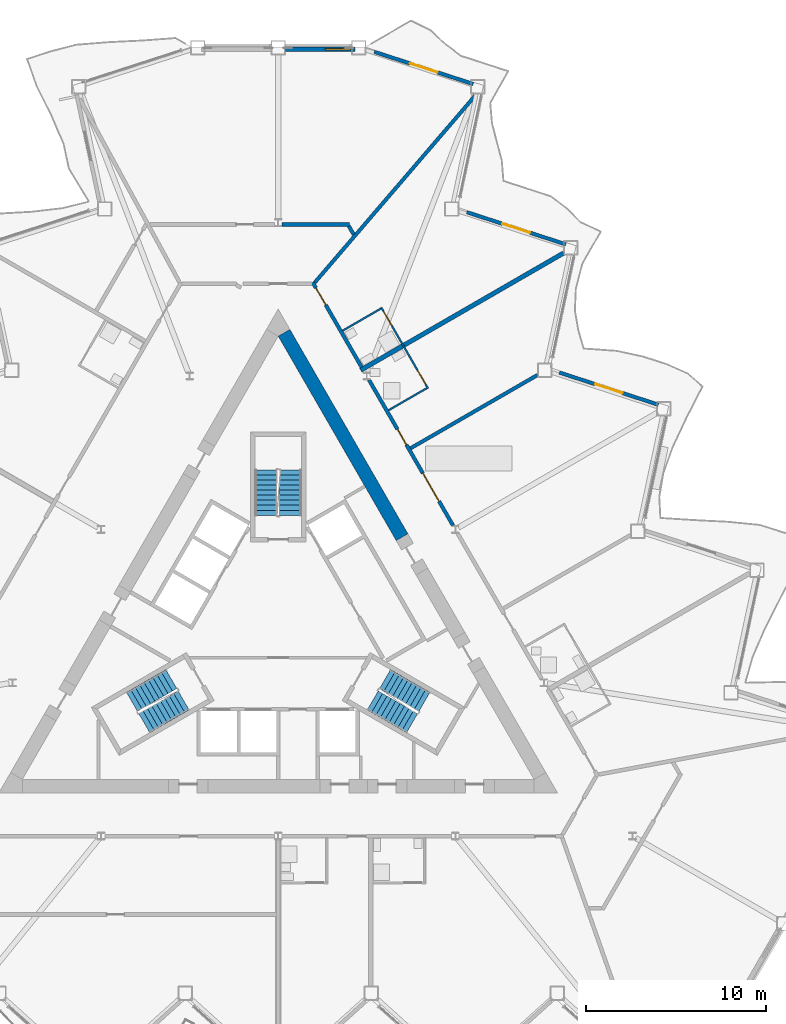
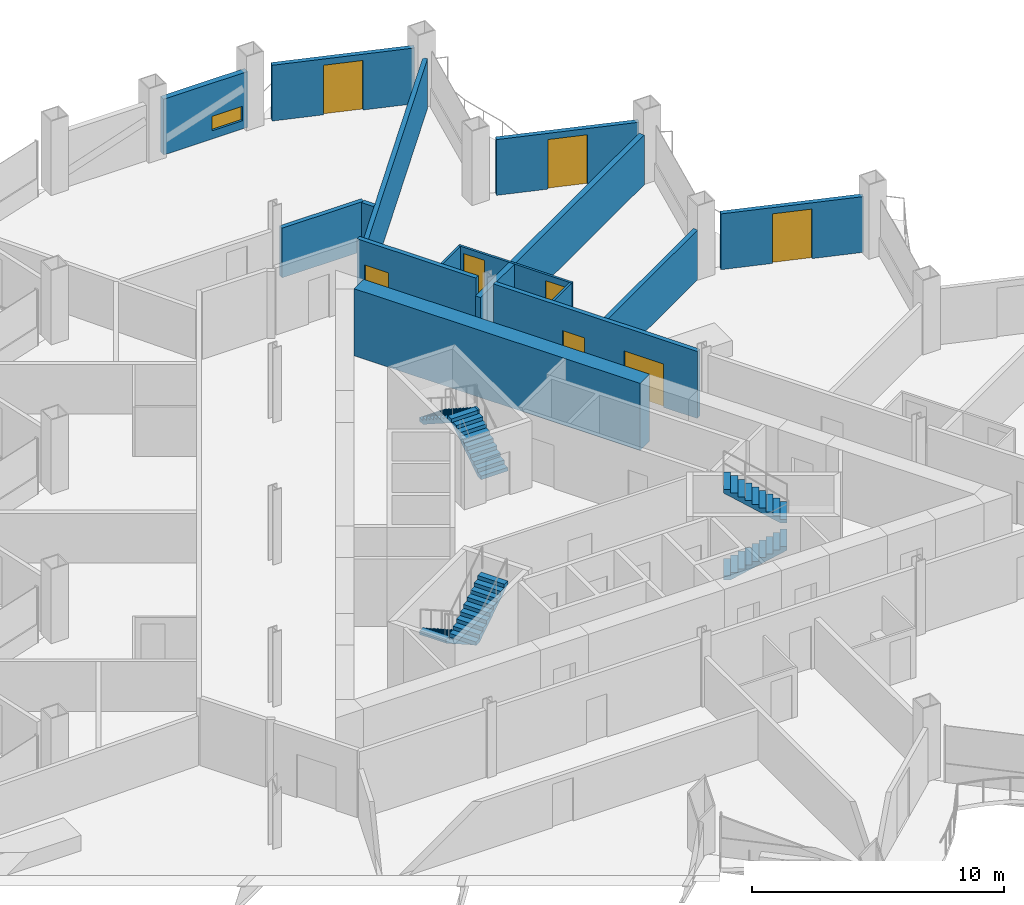
# One storey, part 14 of 22: 15 walls, 8 doors, 6 stair flights, 1 window, 9 openings, 3 elements without a shape of their own.
"""IFC4 building model written with IfcOpenShell, lengths in metres."""

from ifc_helpers import new_model, si_unit, direction, frame, frame_2d, origin, place, context, subcontext, project, spatial, polyline, rectangle, outline, extrude, material, layer, layer_set, type_object, element, fill, aggregate, save


model = new_model("IFC4")

# Units and contexts
model_context = context("Model", 3, precision=1e-05, world=origin(), true_north=direction((0.0, 1.0)))
body_context = subcontext(model_context, "Body", "Model", "MODEL_VIEW")
ifc_project = project(units=[si_unit("LENGTHUNIT", "METRE"), si_unit("AREAUNIT", "SQUARE_METRE"), si_unit("VOLUMEUNIT", "CUBIC_METRE"), si_unit("PLANEANGLEUNIT", "RADIAN"), si_unit("MASSUNIT", "GRAM", prefix="KILO")], contexts=[model_context])

# Site, building, storey
site_placement = place(None, origin())
site = spatial("IfcSite", under=ifc_project, at=site_placement, CompositionType="ELEMENT")
building_placement = place(site_placement, origin())
building = spatial("IfcBuilding", under=site, at=building_placement, Name="Cormorant Prow Tower", CompositionType="ELEMENT")
storey_placement = place(building_placement, frame((0.0, 0.0, 198.0)))
storey = spatial("IfcBuildingStorey", under=building, at=storey_placement, Name="L43", CompositionType="ELEMENT", Elevation=198.0)

# Wall
ifc_material_1 = material(Name="Concrete 8000 psi", Category="concrete")
ifc_layer_1 = layer(ifc_material_1, 0.75)
ifc_layer_set_1 = layer_set([ifc_layer_1], Name="Concrete 8000 psi")
wall_type_1 = type_object("IfcWallType", Name="Core shear wall 750", PredefinedType="SHEAR", material=ifc_layer_set_1)
wall_1_placement = place(storey_placement, frame((6.875244140625, 5.239501953125, 0.0), z_axis=(0.0, 0.0, 1.0), x_axis=(-0.499997217876, 0.866027010039, 0.0)))
element("IfcWall", 1, at=wall_1_placement, inside=storey, type_object=wall_type_1, Name="Core wall", PredefinedType="SHEAR", context=body_context, shape_type="SweptSolid", body=[
    extrude(rectangle(XDim=13.10107421875, YDim=0.75, at=frame_2d((6.550537109375, 0.0))), origin(), (0.0, 0.0, 1.0), 3.25),
])

# Wall, openings, doors
ifc_material_2 = material(Name="Gypsum board corridor wall")
ifc_layer_2 = layer(ifc_material_2, 0.199951171875)
ifc_layer_set_2 = layer_set([ifc_layer_2], Name="Gypsum board corridor wall")
wall_type_2 = type_object("IfcWallType", Name="Corridor wall 200", PredefinedType="PARTITIONING", material=ifc_layer_set_2)
wall_2_placement = place(storey_placement, frame((5.03759765625, 13.972412109375, 0.0), z_axis=(0.0, 0.0, 1.0), x_axis=(0.50000393355, -0.866023132736, 0.0)))
wall_2 = element("IfcWall", 2, at=wall_2_placement, inside=storey, type_object=wall_type_2, Name="Corridor wall", PredefinedType="PARTITIONING", context=body_context, shape_type="SweptSolid", body=[
    extrude(rectangle(XDim=9.3349609375, YDim=0.199951171875, at=frame_2d((4.66748046875, 0.0))), origin(), (0.0, 0.0, 1.0), 3.25),
])
opening_1_placement = place(wall_2_placement, frame((5.978515625, 0.0, 0.0)))
opening_1 = element("IfcOpeningElement", 3, at=opening_1_placement, cuts=wall_2, Name="Opening L43-F13", PredefinedType="OPENING", context=body_context, shape_type="SweptSolid", body=[
    extrude(rectangle(XDim=1.800048828125, YDim=2.10009765625, at=frame_2d((0.89990234375, 1.050048828125))), frame((0.0, 0.10986328125, 0.0), z_axis=(0.0, -1.0, 0.0), x_axis=(1.0, 0.0, 0.0)), (0.0, 0.0, 1.0), 0.219970703125),
])
opening_2_placement = place(wall_2_placement, frame((3.1630859375, 0.0, 0.0)))
opening_2 = element("IfcOpeningElement", 4, at=opening_2_placement, cuts=wall_2, Name="Opening L43-F14", PredefinedType="OPENING", context=body_context, shape_type="SweptSolid", body=[
    extrude(rectangle(XDim=1.0, YDim=2.10009765625, at=frame_2d((0.5, 1.050048828125))), frame((0.0, 0.10986328125, 0.0), z_axis=(0.0, -1.0, 0.0), x_axis=(1.0, 0.0, 0.0)), (0.0, 0.0, 1.0), 0.219970703125),
])
ifc_material_3 = material(Name="Timber door leaf", Category="wood")
door_type_1 = type_object("IfcDoorType", Name="Double door 1800x2100", OperationType="DOUBLE_DOOR_SINGLE_SWING", PredefinedType="DOOR", material=ifc_material_3)
door_1_placement = place(opening_1_placement, origin())
door_1 = element("IfcDoor", 5, at=door_1_placement, inside=storey, type_object=door_type_1, Name="Library door", OperationType="DOUBLE_DOOR_SINGLE_SWING", OverallHeight=2.10009765625, OverallWidth=1.800048828125, PredefinedType="DOOR", context=body_context, shape_type="SweptSolid", body=[
    extrude(rectangle(XDim=1.800048828125, YDim=2.10009765625, at=frame_2d((0.89990234375, 1.050048828125))), frame((0.0, 0.02490234375, 0.0), z_axis=(0.0, -1.0, 0.0), x_axis=(1.0, 0.0, 0.0)), (0.0, 0.0, 1.0), 0.050048828125),
])
fill(opening_1, door_1)
ifc_material_4 = material(Name="Timber door leaf", Category="wood")
door_type_2 = type_object("IfcDoorType", Name="Flat or room entrance door 1000x2100", OperationType="NOTDEFINED", PredefinedType="DOOR", material=ifc_material_4)
door_2_placement = place(opening_2_placement, origin())
door_2 = element("IfcDoor", 6, at=door_2_placement, inside=storey, type_object=door_type_2, Name="Guest room door", OperationType="SINGLE_SWING_RIGHT", OverallHeight=2.10009765625, OverallWidth=1.0, PredefinedType="DOOR", context=body_context, shape_type="SweptSolid", body=[
    extrude(rectangle(XDim=1.0, YDim=2.10009765625, at=frame_2d((0.5, 1.050048828125))), frame((0.0, 0.02490234375, 0.0), z_axis=(0.0, -1.0, 0.0), x_axis=(1.0, 0.0, 0.0)), (0.0, 0.0, 1.0), 0.050048828125),
])
fill(opening_2, door_2)

# Wall, opening, door
wall_3_placement = place(storey_placement, frame((1.9130859375, 19.384521484375, 0.0), z_axis=(0.0, 0.0, 1.0), x_axis=(0.499972435384, -0.866041317638, 0.0)))
wall_3 = element("IfcWall", 7, at=wall_3_placement, inside=storey, type_object=wall_type_2, Name="Corridor wall", PredefinedType="PARTITIONING", context=body_context, shape_type="SweptSolid", body=[
    extrude(rectangle(XDim=5.438720703125, YDim=0.199951171875, at=frame_2d((2.71923828125, 0.0))), origin(), (0.0, 0.0, 1.0), 3.25),
])
opening_3_placement = place(wall_3_placement, frame((0.35107421875, 0.0, 0.0)))
opening_3 = element("IfcOpeningElement", 8, at=opening_3_placement, cuts=wall_3, Name="Opening L43-F16", PredefinedType="OPENING", context=body_context, shape_type="SweptSolid", body=[
    extrude(rectangle(XDim=1.10009765625, YDim=2.10009765625, at=frame_2d((0.550048828125, 1.050048828125))), frame((0.0, 0.10986328125, 0.0), z_axis=(0.0, -1.0, 0.0), x_axis=(1.0, 0.0, 0.0)), (0.0, 0.0, 1.0), 0.219970703125),
])
ifc_material_5 = material(Name="Timber door leaf", Category="wood")
door_type_3 = type_object("IfcDoorType", Name="Suite entrance door 1100x2100", OperationType="NOTDEFINED", PredefinedType="DOOR", material=ifc_material_5)
door_3_placement = place(opening_3_placement, origin())
door_3 = element("IfcDoor", 9, at=door_3_placement, inside=storey, type_object=door_type_3, Name="Junior suite door", OperationType="SINGLE_SWING_LEFT", OverallHeight=2.10009765625, OverallWidth=1.10009765625, PredefinedType="DOOR", context=body_context, shape_type="SweptSolid", body=[
    extrude(rectangle(XDim=1.10009765625, YDim=2.10009765625, at=frame_2d((0.550048828125, 1.050048828125))), frame((0.0, 0.02490234375, 0.0), z_axis=(0.0, -1.0, 0.0), x_axis=(1.0, 0.0, 0.0)), (0.0, 0.0, 1.0), 0.050048828125),
])
fill(opening_3, door_3)

# Walls
ifc_material_6 = material(Name="Gypsum board demising wall")
ifc_layer_3 = layer(ifc_material_6, 0.199951171875)
ifc_layer_set_3 = layer_set([ifc_layer_3], Name="Gypsum board demising wall")
wall_type_3 = type_object("IfcWallType", Name="Demising wall 200", PredefinedType="PARTITIONING", material=ifc_layer_set_3)
wall_4_placement = place(storey_placement, frame((2.0283203125, 19.373779296875, 0.0), z_axis=(0.0, 0.0, 1.0), x_axis=(0.651304244859, 0.758816697647, 0.0)))
element("IfcWall", 10, at=wall_4_placement, inside=storey, type_object=wall_type_3, Name="Demising wall", PredefinedType="PARTITIONING", context=body_context, shape_type="SweptSolid", body=[
    extrude(rectangle(XDim=13.795166015625, YDim=0.199951171875, at=frame_2d((6.8974609375, 0.0))), origin(), (0.0, 0.0, 1.0), 2.404296875),
])
wall_5_placement = place(storey_placement, frame((7.345703125, 10.174560546875, 0.0), z_axis=(0.0, 0.0, 1.0), x_axis=(0.86602913801, 0.499993532075, 0.0)))
element("IfcWall", 11, at=wall_5_placement, inside=storey, type_object=wall_type_3, Name="Demising wall", PredefinedType="PARTITIONING", context=body_context, shape_type="SweptSolid", body=[
    extrude(rectangle(XDim=8.1337890625, YDim=0.199951171875, at=frame_2d((4.06689453125, 0.0))), origin(), (0.0, 0.0, 1.0), 2.404296875),
])
wall_6_placement = place(storey_placement, frame((0.213623046875, 22.597900390625, 0.0), z_axis=(0.0, 0.0, 1.0), x_axis=(1.0, 0.0, 0.0)))
element("IfcWall", 12, at=wall_6_placement, inside=storey, type_object=wall_type_3, Name="Demising wall", PredefinedType="PARTITIONING", context=body_context, shape_type="SweptSolid", body=[
    extrude(rectangle(XDim=3.754638671875, YDim=0.199951171875, at=frame_2d((1.87744140625, 0.0))), origin(), (0.0, 0.0, 1.0), 2.404296875),
])
wall_7_placement = place(storey_placement, frame((3.918212890625, 22.51123046875, 0.0), z_axis=(0.0, 0.0, 1.0), x_axis=(0.500083826171, -0.865977001312, 0.0)))
element("IfcWall", 13, at=wall_7_placement, inside=storey, type_object=wall_type_3, Name="Demising wall", PredefinedType="PARTITIONING", context=body_context, shape_type="SweptSolid", body=[
    extrude(rectangle(XDim=0.5458984375, YDim=0.199951171875, at=frame_2d((0.27294921875, 0.0))), origin(), (0.0, 0.0, 1.0), 2.404296875),
])

# Wall, openings, doors
ifc_material_7 = material(Name="Gypsum board partition")
ifc_layer_4 = layer(ifc_material_7, 0.10009765625)
ifc_layer_set_4 = layer_set([ifc_layer_4], Name="Gypsum board partition")
wall_type_4 = type_object("IfcWallType", Name="Internal partition 100", PredefinedType="PARTITIONING", material=ifc_layer_set_4)
wall_8_placement = place(storey_placement, frame((5.716552734375, 17.996337890625, 0.0), z_axis=(0.0, 0.0, 1.0), x_axis=(0.500027264788, -0.866009661879, 0.0)))
wall_8 = element("IfcWall", 14, at=wall_8_placement, inside=storey, type_object=wall_type_4, Name="Internal partition", PredefinedType="PARTITIONING", context=body_context, shape_type="SweptSolid", body=[
    extrude(rectangle(XDim=5.199951171875, YDim=0.10009765625, at=frame_2d((2.60009765625, 0.0))), origin(), (0.0, 0.0, 1.0), 2.404296875),
])
opening_4_placement = place(wall_8_placement, frame((4.0, 0.0, 0.0)))
opening_4 = element("IfcOpeningElement", 15, at=opening_4_placement, cuts=wall_8, Name="Opening L43-F15", PredefinedType="OPENING", context=body_context, shape_type="SweptSolid", body=[
    extrude(rectangle(XDim=0.949951171875, YDim=2.10009765625, at=frame_2d((0.47509765625, 1.050048828125))), frame((0.0, 0.06005859375, 0.0), z_axis=(0.0, -1.0, 0.0), x_axis=(1.0, 0.0, 0.0)), (0.0, 0.0, 1.0), 0.1201171875),
])
opening_5_placement = place(wall_8_placement, frame((0.25, 0.0, 0.0)))
opening_5 = element("IfcOpeningElement", 16, at=opening_5_placement, cuts=wall_8, Name="Opening L43-F17", PredefinedType="OPENING", context=body_context, shape_type="SweptSolid", body=[
    extrude(rectangle(XDim=0.949951171875, YDim=2.10009765625, at=frame_2d((0.47509765625, 1.050048828125))), frame((0.0, 0.06005859375, 0.0), z_axis=(0.0, -1.0, 0.0), x_axis=(1.0, 0.0, 0.0)), (0.0, 0.0, 1.0), 0.1201171875),
])
ifc_material_8 = material(Name="Timber door leaf", Category="wood")
door_type_4 = type_object("IfcDoorType", Name="Bathroom door 950x2100", OperationType="NOTDEFINED", PredefinedType="DOOR", material=ifc_material_8)
door_4_placement = place(opening_4_placement, origin())
door_4 = element("IfcDoor", 17, at=door_4_placement, inside=storey, type_object=door_type_4, Name="Guest room door", OperationType="SINGLE_SWING_RIGHT", OverallHeight=2.10009765625, OverallWidth=0.949951171875, PredefinedType="DOOR", context=body_context, shape_type="SweptSolid", body=[
    extrude(rectangle(XDim=0.949951171875, YDim=2.10009765625, at=frame_2d((0.47509765625, 1.050048828125))), frame((0.0, 0.02490234375, 0.0), z_axis=(0.0, -1.0, 0.0), x_axis=(1.0, 0.0, 0.0)), (0.0, 0.0, 1.0), 0.050048828125),
])
fill(opening_4, door_4)
door_5_placement = place(opening_5_placement, origin())
door_5 = element("IfcDoor", 18, at=door_5_placement, inside=storey, type_object=door_type_4, Name="Junior suite door", OperationType="SINGLE_SWING_LEFT", OverallHeight=2.10009765625, OverallWidth=0.949951171875, PredefinedType="DOOR", context=body_context, shape_type="SweptSolid", body=[
    extrude(rectangle(XDim=0.949951171875, YDim=2.10009765625, at=frame_2d((0.47509765625, 1.050048828125))), frame((0.0, 0.02490234375, 0.0), z_axis=(0.0, -1.0, 0.0), x_axis=(1.0, 0.0, 0.0)), (0.0, 0.0, 1.0), 0.050048828125),
])
fill(opening_5, door_5)

# Walls
wall_9_placement = place(storey_placement, frame((3.576416015625, 16.703125, 0.0), z_axis=(0.0, 0.0, 1.0), x_axis=(0.866057815567, 0.499943856944, 0.0)))
element("IfcWall", 19, at=wall_9_placement, inside=storey, type_object=wall_type_4, Name="Internal partition", PredefinedType="PARTITIONING", context=body_context, shape_type="SweptSolid", body=[
    extrude(rectangle(XDim=2.449951171875, YDim=0.10009765625, at=frame_2d((1.22509765625, 0.0))), origin(), (0.0, 0.0, 1.0), 2.404296875),
])
wall_10_placement = place(storey_placement, frame((6.12646484375, 12.286376953125, 0.0), z_axis=(0.0, 0.0, 1.0), x_axis=(0.866014668023, 0.500018594424, 0.0)))
element("IfcWall", 20, at=wall_10_placement, inside=storey, type_object=wall_type_4, Name="Internal partition", PredefinedType="PARTITIONING", context=body_context, shape_type="SweptSolid", body=[
    extrude(rectangle(XDim=2.4501953125, YDim=0.10009765625, at=frame_2d((1.22509765625, 0.0))), origin(), (0.0, 0.0, 1.0), 2.404296875),
])
ifc_material_9 = material(Name="Acoustic gypsum party wall")
ifc_layer_5 = layer(ifc_material_9, 0.25)
ifc_layer_set_5 = layer_set([ifc_layer_5], Name="Acoustic gypsum party wall")
wall_type_5 = type_object("IfcWallType", Name="Suite party wall 250", PredefinedType="PARTITIONING", material=ifc_layer_set_5)
wall_11_placement = place(storey_placement, frame((4.581787109375, 14.51220703125, 0.0), z_axis=(0.0, 0.0, 1.0), x_axis=(0.866027263711, 0.4999967785, 0.0)))
element("IfcWall", 21, at=wall_11_placement, inside=storey, type_object=wall_type_5, Name="Suite party wall", PredefinedType="PARTITIONING", context=body_context, shape_type="SweptSolid", body=[
    extrude(rectangle(XDim=12.99365234375, YDim=0.25, at=frame_2d((6.496826171875, 0.0))), origin(), (0.0, 0.0, 1.0), 2.404296875),
])

# Wall, opening, window
ifc_material_10 = material(Name="Terracotta", Category="masonry")
ifc_layer_6 = layer(ifc_material_10, 0.25)
ifc_layer_set_6 = layer_set([ifc_layer_6], Name="Terracotta")
wall_type_6 = type_object("IfcWallType", Name="Terracotta bay wall 250", PredefinedType="SOLIDWALL", material=ifc_layer_set_6)
wall_12_placement = place(storey_placement, frame((4.251708984375, 32.324951171875, 0.0), z_axis=(0.0, 0.0, 1.0), x_axis=(-1.0, 0.0, 0.0)))
wall_12 = element("IfcWall", 22, at=wall_12_placement, inside=storey, type_object=wall_type_6, Name="Terracotta bay wall N00", PredefinedType="SOLIDWALL", context=body_context, shape_type="SweptSolid", body=[
    extrude(rectangle(XDim=3.851806640625, YDim=0.25, at=frame_2d((1.92578125, 0.0))), origin(), (0.0, 0.0, 1.0), 2.700927734375),
])
opening_6_placement = place(wall_12_placement, frame((0.25, 0.0, 0.39990234375)))
opening_6 = element("IfcOpeningElement", 23, at=opening_6_placement, cuts=wall_12, Name="Opening WN4", PredefinedType="OPENING", context=body_context, shape_type="SweptSolid", body=[
    extrude(rectangle(XDim=1.39990234375, YDim=0.699951171875, at=frame_2d((0.699951171875, 0.35009765625))), frame((0.0, 0.135009765625, 0.0), z_axis=(0.0, -1.0, 0.0), x_axis=(1.0, 0.0, 0.0)), (0.0, 0.0, 1.0), 0.27001953125),
])
ifc_material_11 = material(Name="Aluminium 6063-T6", Category="aluminium")
window_type = type_object("IfcWindowType", Name="Corner bay window 1400x700", PartitioningType="SINGLE_PANEL", PredefinedType="WINDOW", material=ifc_material_11)
window_placement = place(opening_6_placement, origin())
window = element("IfcWindow", 24, at=window_placement, inside=storey, type_object=window_type, Name="Corner bay window N00", OverallHeight=0.699951171875, OverallWidth=1.39990234375, PartitioningType="SINGLE_PANEL", PredefinedType="WINDOW", context=body_context, shape_type="SweptSolid", body=[
    extrude(rectangle(XDim=1.39990234375, YDim=0.699951171875, at=frame_2d((0.699951171875, 0.35009765625))), frame((0.0, 0.030029296875, 0.0), z_axis=(0.0, -1.0, 0.0), x_axis=(1.0, 0.0, 0.0)), (0.0, 0.0, 1.0), 0.06005859375),
])
fill(opening_6, window)

# Wall, opening, door
ifc_material_12 = material(Name="Terracotta", Category="masonry")
ifc_layer_7 = layer(ifc_material_12, 0.199951171875)
ifc_layer_set_7 = layer_set([ifc_layer_7], Name="Terracotta")
wall_type_7 = type_object("IfcWallType", Name="Terracotta jamb wall 200", PredefinedType="SOLIDWALL", material=ifc_layer_set_7)
wall_13_placement = place(storey_placement, frame((21.101806640625, 12.59326171875, 0.0), z_axis=(0.0, 0.0, 1.0), x_axis=(-0.951059834965, 0.309006780371, 0.0)))
wall_13 = element("IfcWall", 25, at=wall_13_placement, inside=storey, type_object=wall_type_7, Name="Terracotta jamb wall ENE05", PredefinedType="SOLIDWALL", context=body_context, shape_type="SweptSolid", body=[
    extrude(rectangle(XDim=5.778564453125, YDim=0.199951171875, at=frame_2d((2.88916015625, 0.0))), origin(), (0.0, 0.0, 1.0), 2.700927734375),
])
opening_7_placement = place(wall_13_placement, frame((2.08935546875, 0.0, 0.0)))
opening_7 = element("IfcOpeningElement", 26, at=opening_7_placement, cuts=wall_13, Name="Opening ED43.08", PredefinedType="OPENING", context=body_context, shape_type="SweptSolid", body=[
    extrude(rectangle(XDim=1.60009765625, YDim=2.39990234375, at=frame_2d((0.800048828125, 1.199951171875))), frame((0.0, 0.10986328125, 0.0), z_axis=(0.0, -1.0, 0.0), x_axis=(1.0, 0.0, 0.0)), (0.0, 0.0, 1.0), 0.219970703125),
])
ifc_material_13 = material(Name="Aluminium 6063-T6", Category="aluminium")
door_type_5 = type_object("IfcDoorType", Name="Balcony door 1600x2400", OperationType="DOUBLE_DOOR_SINGLE_SWING", PredefinedType="DOOR", material=ifc_material_13)
door_6_placement = place(opening_7_placement, origin())
door_6 = element("IfcDoor", 27, at=door_6_placement, inside=storey, type_object=door_type_5, Name="Balcony door ENE05 ED43.08", OperationType="DOUBLE_DOOR_SINGLE_SWING", OverallHeight=2.39990234375, OverallWidth=1.60009765625, PredefinedType="DOOR", context=body_context, shape_type="SweptSolid", body=[
    extrude(rectangle(XDim=1.60009765625, YDim=2.39990234375, at=frame_2d((0.800048828125, 1.199951171875))), frame((0.0, 0.02490234375, 0.0), z_axis=(0.0, -1.0, 0.0), x_axis=(1.0, 0.0, 0.0)), (0.0, 0.0, 1.0), 0.050048828125),
])
fill(opening_7, door_6)

wall_14_placement = place(storey_placement, frame((15.96337890625, 21.493408203125, 0.0), z_axis=(0.0, 0.0, 1.0), x_axis=(-0.951059834965, 0.309006780371, 0.0)))
wall_14 = element("IfcWall", 28, at=wall_14_placement, inside=storey, type_object=wall_type_7, Name="Terracotta jamb wall ENE07", PredefinedType="SOLIDWALL", context=body_context, shape_type="SweptSolid", body=[
    extrude(rectangle(XDim=5.778564453125, YDim=0.199951171875, at=frame_2d((2.88916015625, 0.0))), origin(), (0.0, 0.0, 1.0), 2.700927734375),
])
opening_8_placement = place(wall_14_placement, frame((2.08935546875, 0.0, 0.0)))
opening_8 = element("IfcOpeningElement", 29, at=opening_8_placement, cuts=wall_14, Name="Opening ED43.09", PredefinedType="OPENING", context=body_context, shape_type="SweptSolid", body=[
    extrude(rectangle(XDim=1.60009765625, YDim=2.39990234375, at=frame_2d((0.800048828125, 1.199951171875))), frame((0.0, 0.10986328125, 0.0), z_axis=(0.0, -1.0, 0.0), x_axis=(1.0, 0.0, 0.0)), (0.0, 0.0, 1.0), 0.219970703125),
])
door_7_placement = place(opening_8_placement, origin())
door_7 = element("IfcDoor", 30, at=door_7_placement, inside=storey, type_object=door_type_5, Name="Balcony door ENE07 ED43.09", OperationType="DOUBLE_DOOR_SINGLE_SWING", OverallHeight=2.39990234375, OverallWidth=1.60009765625, PredefinedType="DOOR", context=body_context, shape_type="SweptSolid", body=[
    extrude(rectangle(XDim=1.60009765625, YDim=2.39990234375, at=frame_2d((0.800048828125, 1.199951171875))), frame((0.0, 0.02490234375, 0.0), z_axis=(0.0, -1.0, 0.0), x_axis=(1.0, 0.0, 0.0)), (0.0, 0.0, 1.0), 0.050048828125),
])
fill(opening_8, door_7)

wall_15_placement = place(storey_placement, frame((10.82470703125, 30.3935546875, 0.0), z_axis=(0.0, 0.0, 1.0), x_axis=(-0.9510558006, 0.30901919705, 0.0)))
wall_15 = element("IfcWall", 31, at=wall_15_placement, inside=storey, type_object=wall_type_7, Name="Terracotta jamb wall ENE09", PredefinedType="SOLIDWALL", context=body_context, shape_type="SweptSolid", body=[
    extrude(rectangle(XDim=5.7783203125, YDim=0.199951171875, at=frame_2d((2.88916015625, 0.0))), origin(), (0.0, 0.0, 1.0), 2.700927734375),
])
opening_9_placement = place(wall_15_placement, frame((2.08935546875, 0.0, 0.0)))
opening_9 = element("IfcOpeningElement", 32, at=opening_9_placement, cuts=wall_15, Name="Opening ED43.10", PredefinedType="OPENING", context=body_context, shape_type="SweptSolid", body=[
    extrude(rectangle(XDim=1.60009765625, YDim=2.39990234375, at=frame_2d((0.800048828125, 1.199951171875))), frame((0.0, 0.10986328125, 0.0), z_axis=(0.0, -1.0, 0.0), x_axis=(1.0, 0.0, 0.0)), (0.0, 0.0, 1.0), 0.219970703125),
])
door_8_placement = place(opening_9_placement, origin())
door_8 = element("IfcDoor", 33, at=door_8_placement, inside=storey, type_object=door_type_5, Name="Balcony door ENE09 ED43.10", OperationType="DOUBLE_DOOR_SINGLE_SWING", OverallHeight=2.39990234375, OverallWidth=1.60009765625, PredefinedType="DOOR", context=body_context, shape_type="SweptSolid", body=[
    extrude(rectangle(XDim=1.60009765625, YDim=2.39990234375, at=frame_2d((0.800048828125, 1.199951171875))), frame((0.0, 0.02490234375, 0.0), z_axis=(0.0, -1.0, 0.0), x_axis=(1.0, 0.0, 0.0)), (0.0, 0.0, 1.0), 0.050048828125),
])
fill(opening_9, door_8)

# Stair, stair flights
ifc_material_14 = material(Name="Exit stair 20 risers")
stair_type = type_object("IfcStairType", Name="Exit stair 20 risers", PredefinedType="HALF_TURN_STAIR", material=ifc_material_14)
stair_1_placement = place(storey_placement, origin())
stair_1 = element("IfcStair", 34, at=stair_1_placement, inside=storey, type_object=stair_type, Name="L43 Exit stair ST1", PredefinedType="HALF_TURN_STAIR")
ifc_material_15 = material(Name="Concrete 5000 psi", Category="concrete")
stair_flight_type = type_object("IfcStairFlightType", Name="Stair flight 1219", PredefinedType="STRAIGHT", material=ifc_material_15)
stair_flight_1_placement = place(storey_placement, frame((-5.93310546875, -2.635009765625, 0.0), z_axis=(0.0, 0.0, 1.0), x_axis=(-0.866025403784, -0.5, 0.0)))
stair_flight_1 = element("IfcStairFlight", 35, at=stair_flight_1_placement, type_object=stair_flight_type, Name="ST1 flight 1", NumberOfRisers=10, NumberOfTreads=9, PredefinedType="STRAIGHT", RiserHeight=0.18, TreadLength=0.28, context=body_context, shape_type="SweptSolid", body=[
    extrude(outline(polyline([(0.0, 0.0), (0.0, 0.179931640625), (0.280029296875, 0.179931640625), (0.280029296875, 0.360107421875), (0.56005859375, 0.360107421875), (0.56005859375, 0.5400390625), (0.840087890625, 0.5400390625), (0.840087890625, 0.719970703125), (1.1201171875, 0.719970703125), (1.1201171875, 0.89990234375), (1.39990234375, 0.89990234375), (1.39990234375, 1.080078125), (1.679931640625, 1.080078125), (1.679931640625, 1.260009765625), (1.9599609375, 1.260009765625), (1.9599609375, 1.43994140625), (2.239990234375, 1.43994140625), (2.239990234375, 1.6201171875), (2.52001953125, 1.6201171875), (2.52001953125, 1.800048828125), (2.52001953125, 1.44189453125), (0.277099609375, 0.0), (0.0, 0.0)])), frame((0.0, 0.609375, 0.0), z_axis=(0.0, -1.0, 0.0), x_axis=(1.0, 0.0, 0.0)), (0.0, 0.0, 1.0), 1.218994140625),
])
stair_flight_2_placement = place(storey_placement, frame((-7.43115234375, -5.080810546875, 1.800048828125), z_axis=(0.0, 0.0, 1.0), x_axis=(0.866025403784, 0.5, 0.0)))
stair_flight_2 = element("IfcStairFlight", 36, at=stair_flight_2_placement, type_object=stair_flight_type, Name="ST1 flight 2", NumberOfRisers=10, NumberOfTreads=9, PredefinedType="STRAIGHT", RiserHeight=0.18, TreadLength=0.28, context=body_context, shape_type="SweptSolid", body=[
    extrude(outline(polyline([(0.0, 0.0), (0.0, 0.179931640625), (0.280029296875, 0.179931640625), (0.280029296875, 0.360107421875), (0.56005859375, 0.360107421875), (0.56005859375, 0.5400390625), (0.840087890625, 0.5400390625), (0.840087890625, 0.719970703125), (1.1201171875, 0.719970703125), (1.1201171875, 0.89990234375), (1.39990234375, 0.89990234375), (1.39990234375, 1.080078125), (1.679931640625, 1.080078125), (1.679931640625, 1.260009765625), (1.9599609375, 1.260009765625), (1.9599609375, 1.43994140625), (2.239990234375, 1.43994140625), (2.239990234375, 1.6201171875), (2.52001953125, 1.6201171875), (2.52001953125, 1.800048828125), (2.52001953125, 1.44189453125), (0.277099609375, 0.0), (0.0, 0.0)])), frame((0.0, 0.609375, 0.0), z_axis=(0.0, -1.0, 0.0), x_axis=(1.0, 0.0, 0.0)), (0.0, 0.0, 1.0), 1.218994140625),
])
aggregate(stair_1, [stair_flight_1, stair_flight_2])

stair_2_placement = place(storey_placement, origin())
stair_2 = element("IfcStair", 37, at=stair_2_placement, inside=storey, type_object=stair_type, Name="L43 Exit stair ST2", PredefinedType="HALF_TURN_STAIR")
stair_flight_3_placement = place(storey_placement, frame((5.24853515625, -3.82080078125, 0.0), z_axis=(0.0, 0.0, 1.0), x_axis=(0.866025403784, -0.5, 0.0)))
stair_flight_3 = element("IfcStairFlight", 38, at=stair_flight_3_placement, type_object=stair_flight_type, Name="ST2 flight 1", NumberOfRisers=10, NumberOfTreads=9, PredefinedType="STRAIGHT", RiserHeight=0.18, TreadLength=0.28, context=body_context, shape_type="SweptSolid", body=[
    extrude(outline(polyline([(0.0, 0.0), (0.0, 0.179931640625), (0.280029296875, 0.179931640625), (0.280029296875, 0.360107421875), (0.56005859375, 0.360107421875), (0.56005859375, 0.5400390625), (0.840087890625, 0.5400390625), (0.840087890625, 0.719970703125), (1.1201171875, 0.719970703125), (1.1201171875, 0.89990234375), (1.39990234375, 0.89990234375), (1.39990234375, 1.080078125), (1.679931640625, 1.080078125), (1.679931640625, 1.260009765625), (1.9599609375, 1.260009765625), (1.9599609375, 1.43994140625), (2.239990234375, 1.43994140625), (2.239990234375, 1.6201171875), (2.52001953125, 1.6201171875), (2.52001953125, 1.800048828125), (2.52001953125, 1.44189453125), (0.277099609375, 0.0), (0.0, 0.0)])), frame((0.0, 0.609375, 0.0), z_axis=(0.0, -1.0, 0.0), x_axis=(1.0, 0.0, 0.0)), (0.0, 0.0, 1.0), 1.218994140625),
])
stair_flight_4_placement = place(storey_placement, frame((8.115478515625, -3.89501953125, 1.800048828125), z_axis=(0.0, 0.0, 1.0), x_axis=(-0.866025403784, 0.5, 0.0)))
stair_flight_4 = element("IfcStairFlight", 39, at=stair_flight_4_placement, type_object=stair_flight_type, Name="ST2 flight 2", NumberOfRisers=10, NumberOfTreads=9, PredefinedType="STRAIGHT", RiserHeight=0.18, TreadLength=0.28, context=body_context, shape_type="SweptSolid", body=[
    extrude(outline(polyline([(0.0, 0.0), (0.0, 0.179931640625), (0.280029296875, 0.179931640625), (0.280029296875, 0.360107421875), (0.56005859375, 0.360107421875), (0.56005859375, 0.5400390625), (0.840087890625, 0.5400390625), (0.840087890625, 0.719970703125), (1.1201171875, 0.719970703125), (1.1201171875, 0.89990234375), (1.39990234375, 0.89990234375), (1.39990234375, 1.080078125), (1.679931640625, 1.080078125), (1.679931640625, 1.260009765625), (1.9599609375, 1.260009765625), (1.9599609375, 1.43994140625), (2.239990234375, 1.43994140625), (2.239990234375, 1.6201171875), (2.52001953125, 1.6201171875), (2.52001953125, 1.800048828125), (2.52001953125, 1.44189453125), (0.277099609375, 0.0), (0.0, 0.0)])), frame((0.0, 0.609375, 0.0), z_axis=(0.0, -1.0, 0.0), x_axis=(1.0, 0.0, 0.0)), (0.0, 0.0, 1.0), 1.218994140625),
])
aggregate(stair_2, [stair_flight_3, stair_flight_4])

stair_3_placement = place(storey_placement, origin())
stair_3 = element("IfcStair", 40, at=stair_3_placement, inside=storey, type_object=stair_type, Name="L43 Exit stair ST3", PredefinedType="HALF_TURN_STAIR")
stair_flight_5_placement = place(storey_placement, frame((0.6845703125, 6.455810546875, 0.0), z_axis=(0.0, 0.0, 1.0), x_axis=(0.0, 1.0, 0.0)))
stair_flight_5 = element("IfcStairFlight", 41, at=stair_flight_5_placement, type_object=stair_flight_type, Name="ST3 flight 1", NumberOfRisers=10, NumberOfTreads=9, PredefinedType="STRAIGHT", RiserHeight=0.18, TreadLength=0.28, context=body_context, shape_type="SweptSolid", body=[
    extrude(outline(polyline([(0.0, 0.0), (0.0, 0.179931640625), (0.280029296875, 0.179931640625), (0.280029296875, 0.360107421875), (0.56005859375, 0.360107421875), (0.56005859375, 0.5400390625), (0.840087890625, 0.5400390625), (0.840087890625, 0.719970703125), (1.1201171875, 0.719970703125), (1.1201171875, 0.89990234375), (1.39990234375, 0.89990234375), (1.39990234375, 1.080078125), (1.679931640625, 1.080078125), (1.679931640625, 1.260009765625), (1.9599609375, 1.260009765625), (1.9599609375, 1.43994140625), (2.239990234375, 1.43994140625), (2.239990234375, 1.6201171875), (2.52001953125, 1.6201171875), (2.52001953125, 1.800048828125), (2.52001953125, 1.44189453125), (0.277099609375, 0.0), (0.0, 0.0)])), frame((0.0, 0.609375, 0.0), z_axis=(0.0, -1.0, 0.0), x_axis=(1.0, 0.0, 0.0)), (0.0, 0.0, 1.0), 1.218994140625),
])
stair_flight_6_placement = place(storey_placement, frame((-0.6845703125, 8.975830078125, 1.800048828125), z_axis=(0.0, 0.0, 1.0), x_axis=(0.0, -1.0, 0.0)))
stair_flight_6 = element("IfcStairFlight", 42, at=stair_flight_6_placement, type_object=stair_flight_type, Name="ST3 flight 2", NumberOfRisers=10, NumberOfTreads=9, PredefinedType="STRAIGHT", RiserHeight=0.18, TreadLength=0.28, context=body_context, shape_type="SweptSolid", body=[
    extrude(outline(polyline([(0.0, 0.0), (0.0, 0.179931640625), (0.280029296875, 0.179931640625), (0.280029296875, 0.360107421875), (0.56005859375, 0.360107421875), (0.56005859375, 0.5400390625), (0.840087890625, 0.5400390625), (0.840087890625, 0.719970703125), (1.1201171875, 0.719970703125), (1.1201171875, 0.89990234375), (1.39990234375, 0.89990234375), (1.39990234375, 1.080078125), (1.679931640625, 1.080078125), (1.679931640625, 1.260009765625), (1.9599609375, 1.260009765625), (1.9599609375, 1.43994140625), (2.239990234375, 1.43994140625), (2.239990234375, 1.6201171875), (2.52001953125, 1.6201171875), (2.52001953125, 1.800048828125), (2.52001953125, 1.44189453125), (0.277099609375, 0.0), (0.0, 0.0)])), frame((0.0, 0.609375, 0.0), z_axis=(0.0, -1.0, 0.0), x_axis=(1.0, 0.0, 0.0)), (0.0, 0.0, 1.0), 1.218994140625),
])
aggregate(stair_3, [stair_flight_5, stair_flight_6])

save(model, "model.ifc")
